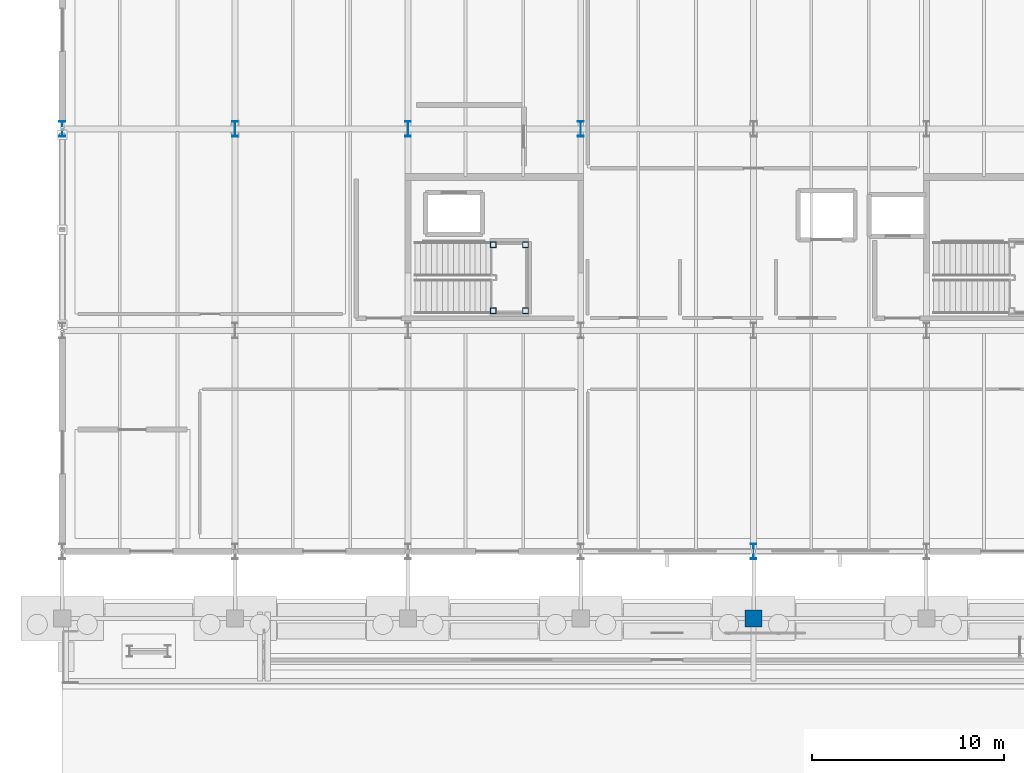
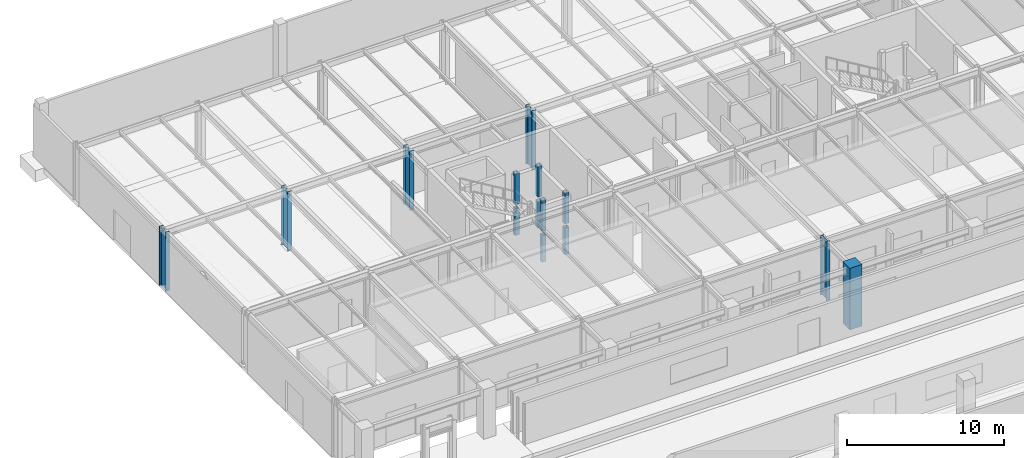
# One storey, part 20 of 160: 14 columns.
"""IFC4 building model written with IfcOpenShell, lengths in metres."""

from ifc_helpers import new_model, si_unit, direction, frame, origin, origin_2d, place, context, subcontext, project, spatial, rectangle, hollow_rectangle, i_section, extrude, material, material_profile, profile_set, type_object, element, save


model = new_model("IFC4")

# Units and contexts
model_context = context("Model", 3, precision=1e-05, world=origin(), true_north=direction((0.0, 1.0)))
body_context = subcontext(model_context, "Body", "Model", "MODEL_VIEW")
ifc_project = project(units=[si_unit("LENGTHUNIT", "METRE"), si_unit("AREAUNIT", "SQUARE_METRE"), si_unit("VOLUMEUNIT", "CUBIC_METRE"), si_unit("PLANEANGLEUNIT", "RADIAN"), si_unit("MASSUNIT", "GRAM", prefix="KILO")], contexts=[model_context])

# Site, building, storey
site_placement = place(None, origin())
site = spatial("IfcSite", under=ifc_project, at=site_placement, CompositionType="ELEMENT")
building_placement = place(site_placement, origin())
building = spatial("IfcBuilding", under=site, at=building_placement, Name="Marlcrest Central Station", CompositionType="ELEMENT")
storey_placement = place(building_placement, origin())
storey = spatial("IfcBuildingStorey", under=building, at=storey_placement, Name="L00", CompositionType="ELEMENT", Elevation=0.0)

# Columns
ifc_material_1 = material(Name="Concrete C50/60", Category="concrete")
ifc_material_profile_1 = material_profile(ifc_material_1, rectangle(XDim=0.89990234375, YDim=0.89990234375, at=origin_2d()), Name="RC 900x900")
ifc_profile_set_1 = profile_set([ifc_material_profile_1], Name="Concrete C50/60")
column_type_1 = type_object("IfcColumnType", Name="RC-08", PredefinedType="COLUMN", material=ifc_profile_set_1)
column_1_placement = place(storey_placement, frame((36.0, 95.5, 0.0), z_axis=(0.0, 0.0, 1.0), x_axis=(1.0, 0.0, 0.0)))
element("IfcColumn", 1, at=column_1_placement, inside=storey, type_object=column_type_1, Name="col-RC-08-L00-0460", PredefinedType="COLUMN", context=body_context, shape_type="SweptSolid", body=[
    extrude(rectangle(XDim=0.89990234375, YDim=0.89990234375, at=origin_2d()), origin(), (0.0, 0.0, 1.0), 4.800048828125),
])
ifc_material_2 = material(Name="Steel S355", Category="steel")
ifc_material_profile_2 = material_profile(ifc_material_2, i_section(OverallWidth=0.300048828125, OverallDepth=0.800048828125, WebThickness=0.017578125, FlangeThickness=0.032958984375, FilletRadius=0.030029296875, at=origin_2d()), Name="HEB 800")
ifc_profile_set_2 = profile_set([ifc_material_profile_2], Name="Steel S355")
column_type_2 = type_object("IfcColumnType", Name="SC-08", PredefinedType="COLUMN", material=ifc_profile_set_2)
for number, where, z_axis, x_axis, name in (
    (2, (0.0, 121.0, 0.0), (0.0, 0.0, 1.0), (1.0, 0.0, 0.0), "col-SC-08-L00-0039"),
    (3, (9.0, 121.0, 0.0), (0.0, 0.0, 1.0), (1.0, 0.0, 0.0), "col-SC-08-L00-0043"),
    (4, (18.0, 121.0, 0.0), (0.0, 0.0, 1.0), (1.0, 0.0, 0.0), "col-SC-08-L00-0047"),
    (5, (27.0, 121.0, 0.0), (0.0, 0.0, 1.0), (1.0, 0.0, 0.0), "col-SC-08-L00-0051"),
    (6, (36.0, 99.0, 0.0), (0.0, 0.0, 1.0), (1.0, 0.0, 0.0), "col-SC-08-L00-0053"),
):
    element("IfcColumn", number, at=place(storey_placement, frame(where, z_axis=z_axis, x_axis=x_axis)), inside=storey, type_object=column_type_2, Name=name, PredefinedType="COLUMN", context=body_context, shape_type="SweptSolid", body=[
        extrude(i_section(OverallWidth=0.300048828125, OverallDepth=0.800048828125, WebThickness=0.017578125, FlangeThickness=0.032958984375, FilletRadius=0.030029296875, at=origin_2d()), origin(), (0.0, 0.0, 1.0), 4.610107421875),
    ])
ifc_material_profile_3 = material_profile(ifc_material_2, hollow_rectangle(XDim=0.300048828125, YDim=0.300048828125, WallThickness=0.01611328125, at=origin_2d()), Name="SHS 300x300x16")
ifc_profile_set_3 = profile_set([ifc_material_profile_3], Name="Steel S355")
column_type_3 = type_object("IfcColumnType", Name="SC-19", PredefinedType="COLUMN", material=ifc_profile_set_3)
column_2_placement = place(storey_placement, frame((22.43994140625, 111.530029296875, 0.0), z_axis=(0.0, 0.0, 1.0), x_axis=(1.0, 0.0, 0.0)))
element("IfcColumn", 7, at=column_2_placement, inside=storey, type_object=column_type_3, Name="htcol-lo-0044-0", PredefinedType="COLUMN", context=body_context, shape_type="SweptSolid", body=[
    extrude(hollow_rectangle(XDim=0.300048828125, YDim=0.300048828125, WallThickness=0.01611328125, at=origin_2d()), origin(), (0.0, 0.0, 1.0), 2.080078125),
])
column_3_placement = place(storey_placement, frame((22.43994140625, 111.530029296875, 2.39990234375), z_axis=(0.0, 0.0, 1.0), x_axis=(1.0, 0.0, 0.0)))
element("IfcColumn", 8, at=column_3_placement, inside=storey, type_object=column_type_3, Name="htcol-hi-0044-0", PredefinedType="COLUMN", context=body_context, shape_type="SweptSolid", body=[
    extrude(hollow_rectangle(XDim=0.300048828125, YDim=0.300048828125, WallThickness=0.01611328125, at=origin_2d()), origin(), (0.0, 0.0, 1.0), 2.400146484375),
])
column_4_placement = place(storey_placement, frame((24.1201171875, 111.530029296875, 0.0), z_axis=(0.0, 0.0, 1.0), x_axis=(1.0, 0.0, 0.0)))
element("IfcColumn", 9, at=column_4_placement, inside=storey, type_object=column_type_3, Name="htcol-lo-0044-1", PredefinedType="COLUMN", context=body_context, shape_type="SweptSolid", body=[
    extrude(hollow_rectangle(XDim=0.300048828125, YDim=0.300048828125, WallThickness=0.01611328125, at=origin_2d()), origin(), (0.0, 0.0, 1.0), 2.080078125),
])
column_5_placement = place(storey_placement, frame((24.1201171875, 111.530029296875, 2.39990234375), z_axis=(0.0, 0.0, 1.0), x_axis=(1.0, 0.0, 0.0)))
element("IfcColumn", 10, at=column_5_placement, inside=storey, type_object=column_type_3, Name="htcol-hi-0044-1", PredefinedType="COLUMN", context=body_context, shape_type="SweptSolid", body=[
    extrude(hollow_rectangle(XDim=0.300048828125, YDim=0.300048828125, WallThickness=0.01611328125, at=origin_2d()), origin(), (0.0, 0.0, 1.0), 2.400146484375),
])
column_6_placement = place(storey_placement, frame((24.1201171875, 114.969970703125, 0.0), z_axis=(0.0, 0.0, 1.0), x_axis=(1.0, 0.0, 0.0)))
element("IfcColumn", 11, at=column_6_placement, inside=storey, type_object=column_type_3, Name="htcol-lo-0044-2", PredefinedType="COLUMN", context=body_context, shape_type="SweptSolid", body=[
    extrude(hollow_rectangle(XDim=0.300048828125, YDim=0.300048828125, WallThickness=0.01611328125, at=origin_2d()), origin(), (0.0, 0.0, 1.0), 2.080078125),
])
column_7_placement = place(storey_placement, frame((24.1201171875, 114.969970703125, 2.39990234375), z_axis=(0.0, 0.0, 1.0), x_axis=(1.0, 0.0, 0.0)))
element("IfcColumn", 12, at=column_7_placement, inside=storey, type_object=column_type_3, Name="htcol-hi-0044-2", PredefinedType="COLUMN", context=body_context, shape_type="SweptSolid", body=[
    extrude(hollow_rectangle(XDim=0.300048828125, YDim=0.300048828125, WallThickness=0.01611328125, at=origin_2d()), origin(), (0.0, 0.0, 1.0), 2.400146484375),
])
column_8_placement = place(storey_placement, frame((22.43994140625, 114.969970703125, 0.0), z_axis=(0.0, 0.0, 1.0), x_axis=(1.0, 0.0, 0.0)))
element("IfcColumn", 13, at=column_8_placement, inside=storey, type_object=column_type_3, Name="htcol-lo-0044-3", PredefinedType="COLUMN", context=body_context, shape_type="SweptSolid", body=[
    extrude(hollow_rectangle(XDim=0.300048828125, YDim=0.300048828125, WallThickness=0.01611328125, at=origin_2d()), origin(), (0.0, 0.0, 1.0), 2.080078125),
])
column_9_placement = place(storey_placement, frame((22.43994140625, 114.969970703125, 2.39990234375), z_axis=(0.0, 0.0, 1.0), x_axis=(1.0, 0.0, 0.0)))
element("IfcColumn", 14, at=column_9_placement, inside=storey, type_object=column_type_3, Name="htcol-hi-0044-3", PredefinedType="COLUMN", context=body_context, shape_type="SweptSolid", body=[
    extrude(hollow_rectangle(XDim=0.300048828125, YDim=0.300048828125, WallThickness=0.01611328125, at=origin_2d()), origin(), (0.0, 0.0, 1.0), 2.400146484375),
])

save(model, "model.ifc")
